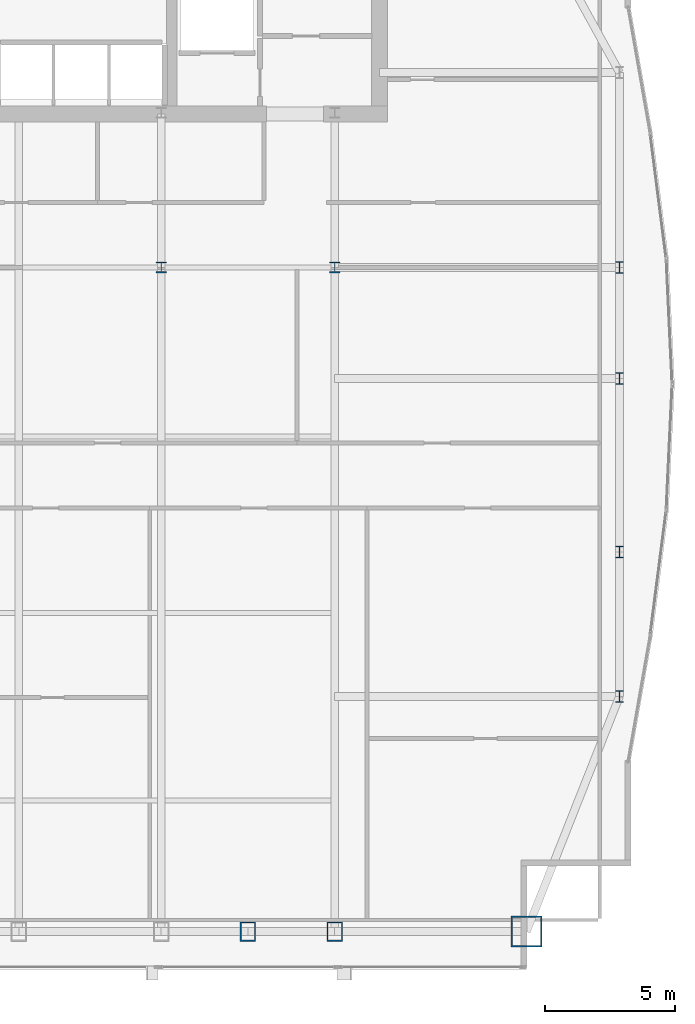
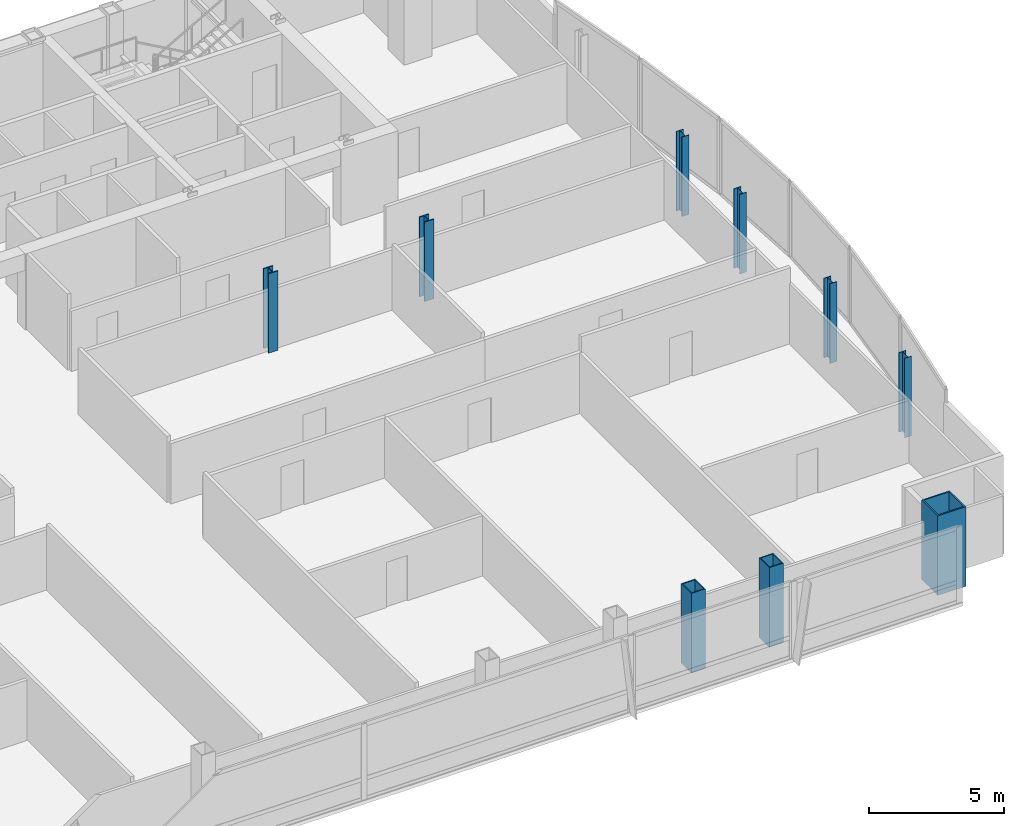
# One storey, part 2 of 30: 9 columns.
"""IFC4 building model written with IfcOpenShell, lengths in metres."""

from ifc_helpers import new_model, si_unit, direction, frame, origin, origin_2d, place, context, subcontext, project, spatial, hollow_rectangle, i_section, extrude, material, material_profile, profile_set, type_object, element, save


model = new_model("IFC4")

# Units and contexts
model_context = context("Model", 3, precision=1e-05, world=origin(), true_north=direction((0.0, 1.0)))
body_context = subcontext(model_context, "Body", "Model", "MODEL_VIEW")
ifc_project = project(units=[si_unit("LENGTHUNIT", "METRE"), si_unit("AREAUNIT", "SQUARE_METRE"), si_unit("VOLUMEUNIT", "CUBIC_METRE"), si_unit("PLANEANGLEUNIT", "RADIAN"), si_unit("MASSUNIT", "GRAM", prefix="KILO")], contexts=[model_context])

# Site, building, storey
site_placement = place(None, origin())
site = spatial("IfcSite", under=ifc_project, at=site_placement, CompositionType="ELEMENT")
building_placement = place(site_placement, origin())
building = spatial("IfcBuilding", under=site, at=building_placement, Name="Khoronbel Lancet Exchange", CompositionType="ELEMENT")
storey_placement = place(building_placement, frame((0.0, 0.0, 203.0)))
storey = spatial("IfcBuildingStorey", under=building, at=storey_placement, Name="L51", CompositionType="ELEMENT", Elevation=203.0)

# Columns
ifc_material_1 = material(Name="Steel S460", Category="steel")
ifc_material_profile_1 = material_profile(ifc_material_1, hollow_rectangle(XDim=0.60009765625, YDim=0.75, WallThickness=0.044921875, at=origin_2d()), Name="BOX 750x600x45")
ifc_profile_set_1 = profile_set([ifc_material_profile_1], Name="Steel S460")
column_type_1 = type_object("IfcColumnType", Name="COL-EC3", PredefinedType="COLUMN", material=ifc_profile_set_1)
for number, where, z_axis, x_axis, name in (
    (1, (51.33740234375, 10.14990234375, 0.0), (0.0, 0.0, 1.0), (1.0, 0.0, 0.0), "Structural column SC-EM L51"),
    (2, (54.675048828125, 10.14990234375, 0.0), (0.0, 0.0, 1.0), (1.0, 0.0, 0.0), "Structural column SC-E2 L51"),
):
    element("IfcColumn", number, at=place(storey_placement, frame(where, z_axis=z_axis, x_axis=x_axis)), inside=storey, type_object=column_type_1, Name=name, PredefinedType="COLUMN", context=body_context, shape_type="SweptSolid", body=[
        extrude(hollow_rectangle(XDim=0.60009765625, YDim=0.75, WallThickness=0.044921875, at=origin_2d()), origin(), (0.0, 0.0, 1.0), 3.60009765625),
    ])
ifc_material_2 = material(Name="Steel S355", Category="steel")
ifc_material_profile_2 = material_profile(ifc_material_2, i_section(OverallWidth=0.406005859375, OverallDepth=0.416015625, WebThickness=0.02978515625, FlangeThickness=0.048095703125, at=origin_2d()), Name="HD 400x382")
ifc_profile_set_2 = profile_set([ifc_material_profile_2], Name="Steel S355")
column_type_2 = type_object("IfcColumnType", Name="COL-IC3", PredefinedType="COLUMN", material=ifc_profile_set_2)
for number, where, z_axis, x_axis, name in (
    (3, (48.0, 35.699951171875, 0.0), (0.0, 0.0, 1.0), (1.0, 0.0, 0.0), "Spine gravity column TC3 L51"),
    (4, (54.675048828125, 35.699951171875, 0.0), (0.0, 0.0, 1.0), (1.0, 0.0, 0.0), "Spine gravity column TC4 L51"),
):
    element("IfcColumn", number, at=place(storey_placement, frame(where, z_axis=z_axis, x_axis=x_axis)), inside=storey, type_object=column_type_2, Name=name, PredefinedType="COLUMN", context=body_context, shape_type="SweptSolid", body=[
        extrude(i_section(OverallWidth=0.406005859375, OverallDepth=0.416015625, WebThickness=0.02978515625, FlangeThickness=0.048095703125, at=origin_2d()), origin(), (0.0, 0.0, 1.0), 3.60009765625),
    ])
ifc_material_profile_3 = material_profile(ifc_material_2, i_section(OverallWidth=0.300048828125, OverallDepth=0.449951171875, WebThickness=0.013916015625, FlangeThickness=0.02587890625, at=origin_2d()), Name="HEB 450")
ifc_profile_set_3 = profile_set([ifc_material_profile_3], Name="Steel S355")
column_type_3 = type_object("IfcColumnType", Name="COL-LC2", PredefinedType="COLUMN", material=ifc_profile_set_3)
for number, where, z_axis, x_axis, name in (
    (5, (65.6298828125, 19.199951171875, 0.0), (0.0, 0.0, 1.0), (1.0, 0.0, 0.0), "Structural column EC-1 L51"),
    (6, (65.6298828125, 24.75, 0.0), (0.0, 0.0, 1.0), (1.0, 0.0, 0.0), "Structural column EC-2 L51"),
    (7, (65.6298828125, 31.425048828125, 0.0), (0.0, 0.0, 1.0), (1.0, 0.0, 0.0), "Structural column EC-M L51"),
    (8, (65.6298828125, 35.699951171875, 0.0), (0.0, 0.0, 1.0), (1.0, 0.0, 0.0), "Structural column EC-3 L51"),
):
    element("IfcColumn", number, at=place(storey_placement, frame(where, z_axis=z_axis, x_axis=x_axis)), inside=storey, type_object=column_type_3, Name=name, PredefinedType="COLUMN", context=body_context, shape_type="SweptSolid", body=[
        extrude(i_section(OverallWidth=0.300048828125, OverallDepth=0.449951171875, WebThickness=0.013916015625, FlangeThickness=0.02587890625, at=origin_2d()), origin(), (0.0, 0.0, 1.0), 3.60009765625),
    ])
ifc_material_profile_4 = material_profile(ifc_material_1, hollow_rectangle(XDim=1.199951171875, YDim=1.199951171875, WallThickness=0.06005859375, at=origin_2d()), Name="BOX 1200x1200x60")
ifc_profile_set_4 = profile_set([ifc_material_profile_4], Name="Steel S460")
column_type_4 = type_object("IfcColumnType", Name="COL-MC5", PredefinedType="COLUMN", material=ifc_profile_set_4)
column_placement = place(storey_placement, frame((62.050048828125, 10.14990234375, 0.0), z_axis=(0.0, 0.0, 1.0), x_axis=(1.0, 0.0, 0.0)))
element("IfcColumn", 9, at=column_placement, inside=storey, type_object=column_type_4, Name="Structural column MC-SE L51", PredefinedType="COLUMN", context=body_context, shape_type="SweptSolid", body=[
    extrude(hollow_rectangle(XDim=1.199951171875, YDim=1.199951171875, WallThickness=0.06005859375, at=origin_2d()), origin(), (0.0, 0.0, 1.0), 3.60009765625),
])

save(model, "model.ifc")
